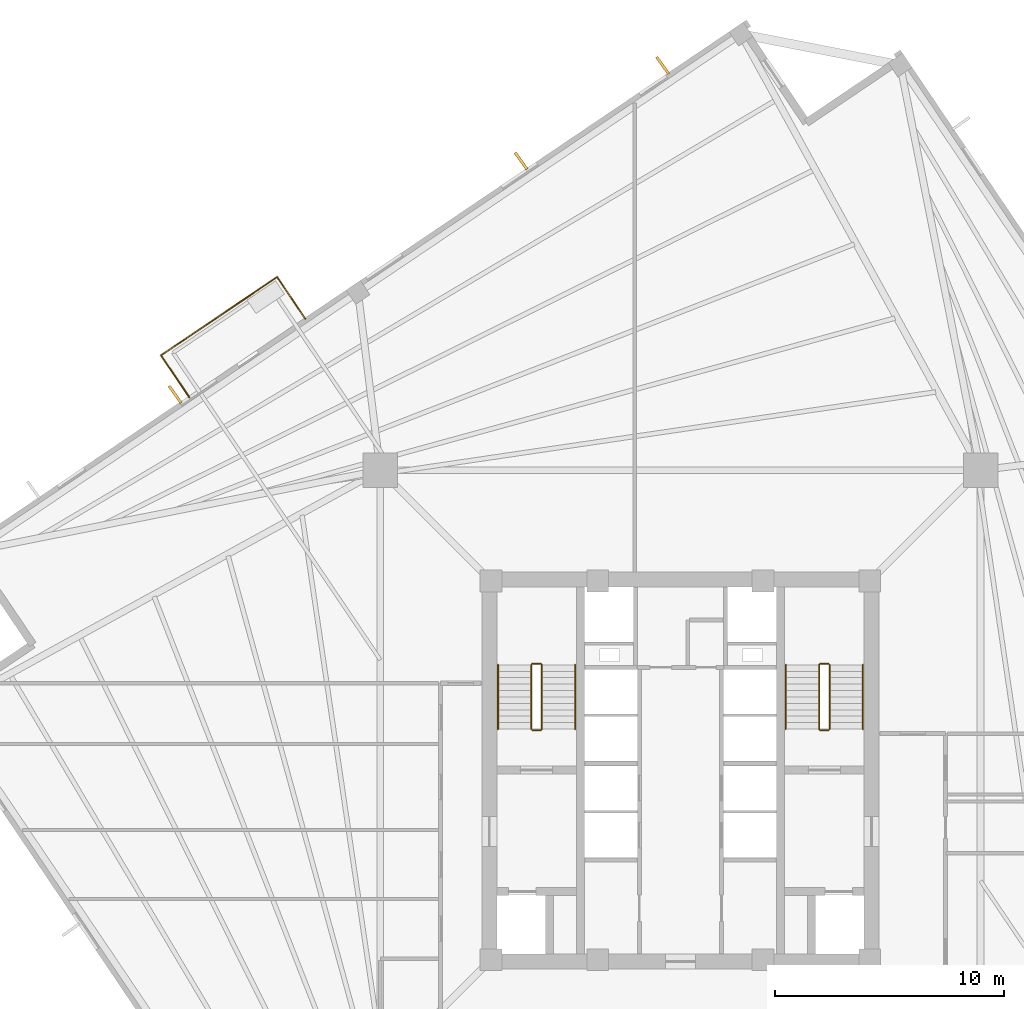
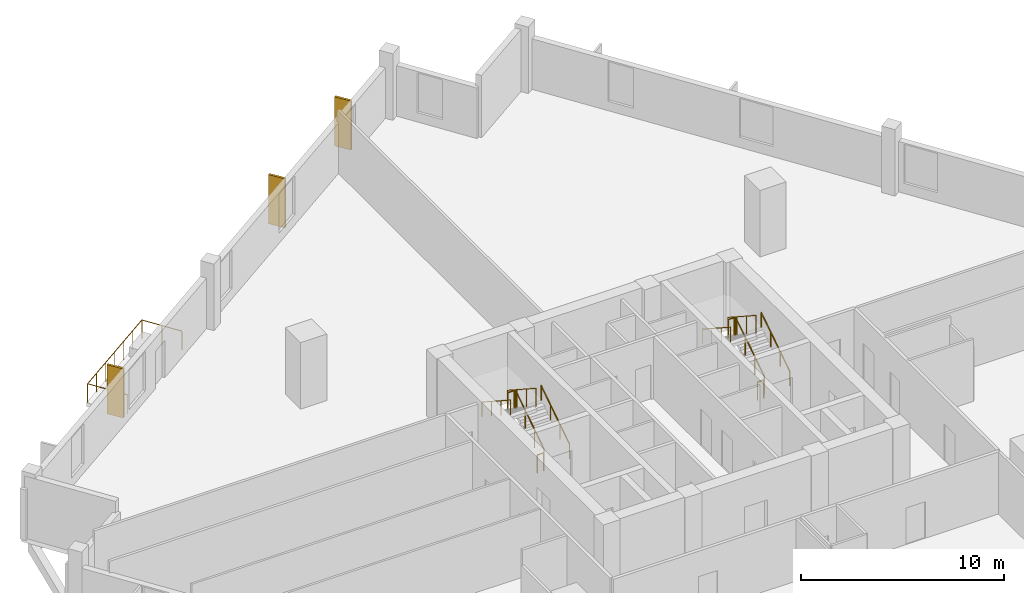
# One storey, part 7 of 8: 15 railings, 3 coverings.
"""IFC4 building model written with IfcOpenShell, lengths in metres."""

from ifc_helpers import new_model, si_unit, direction, frame, origin, origin_2d, place, context, subcontext, project, spatial, rectangle, circle, extrude, source, transform, mapped, material, layer, layer_set, type_object, element, save


model = new_model("IFC4")

# Units and contexts
model_context = context("Model", 3, precision=1e-05, world=origin(), true_north=direction((0.0, 1.0)))
body_context = subcontext(model_context, "Body", "Model", "MODEL_VIEW")
ifc_project = project(units=[si_unit("LENGTHUNIT", "METRE"), si_unit("AREAUNIT", "SQUARE_METRE"), si_unit("VOLUMEUNIT", "CUBIC_METRE"), si_unit("PLANEANGLEUNIT", "RADIAN"), si_unit("MASSUNIT", "GRAM", prefix="KILO"), si_unit("THERMODYNAMICTEMPERATUREUNIT", "KELVIN")], contexts=[model_context])

# Site, building, storey
site_placement = place(None, origin())
site = spatial("IfcSite", under=ifc_project, at=site_placement, CompositionType="ELEMENT")
building_placement = place(site_placement, origin())
building = spatial("IfcBuilding", under=site, at=building_placement, Name="Kosmvard Interchange Tower", CompositionType="ELEMENT")
storey_placement = place(building_placement, frame((0.0, 0.0, 184.39990234375)))
storey = spatial("IfcBuildingStorey", under=building, at=storey_placement, Name="L44", CompositionType="ELEMENT", Elevation=184.39990234375)

# Coverings
ifc_material_1 = material(Name="Architectural anodised aluminium", Category="aluminium")
ifc_layer = layer(ifc_material_1, 0.1201171875, Name="Architectural anodised aluminium")
ifc_layer_set = layer_set([ifc_layer], Name="Architectural anodised aluminium")
covering_type = type_object("IfcCoveringType", Name="Rotating Vertical Sun-Breaker Fin 900x120 Aluminium", PredefinedType="CLADDING", material=ifc_layer_set)
shared_shape_1 = source(origin(), body_context, "Body", "SweptSolid", [
    extrude(rectangle(XDim=0.89990234375, YDim=0.1201171875, at=origin_2d()), origin(), (0.0, 0.0, 1.0), 2.9599609375),
])
for number, where, z_axis, x_axis, name in (
    (1, (-0.774169921875, 30.718994140625, 0.0400390625), (0.0, 0.0, 1.0), (-0.581839108989, 0.813303910756, 0.0), "L44 Rotating Vertical Sun-Breaker Fin 09"),
    (2, (-6.943115234375, 26.557861328125, 0.0400390625), (0.0, 0.0, 1.0), (-0.581839108989, 0.813303910756, 0.0), "L44 Rotating Vertical Sun-Breaker Fin 10"),
    (3, (-22.02294921875, 16.38623046875, 0.0400390625), (0.0, 0.0, 1.0), (-0.581839108989, 0.813303910756, 0.0), "L44 Rotating Vertical Sun-Breaker Fin 11"),
):
    element("IfcCovering", number, at=place(storey_placement, frame(where, z_axis=z_axis, x_axis=x_axis)), inside=storey, type_object=covering_type, Name=name, PredefinedType="CLADDING", context=body_context, shape_type="MappedRepresentation", body=[
        mapped(shared_shape_1, transform((0.0, 0.0, 0.0), scale=1.0)),
    ])

# Railings
ifc_material_2 = material(Name="Steel S355", Category="steel")
railing_type_1 = type_object("IfcRailingType", Name="Observation & Balcony Glass-Infill Balustrade 1150", PredefinedType="BALUSTRADE", material=ifc_material_2)
shared_shape_2 = source(origin(), body_context, "Body", "SweptSolid", [
    extrude(circle(Radius=0.02392578125, at=origin_2d()), frame((0.0, 0.0, 1.1259765625), z_axis=(0.559173597279, -0.829050594418, 0.0), x_axis=(0.829050594418, 0.559173597279, 0.0)), (0.0, 0.0, 1.0), 2.2001953125),
    extrude(circle(Radius=0.02099609375, at=origin_2d()), origin(), (0.0, 0.0, 1.0), 1.101806640625),
    extrude(circle(Radius=0.02099609375, at=origin_2d()), frame((0.615234375, -0.912109375, 0.0)), (0.0, 0.0, 1.0), 1.101806640625),
    extrude(circle(Radius=0.02099609375, at=origin_2d()), frame((1.230224609375, -1.823974609375, 0.0)), (0.0, 0.0, 1.0), 1.101806640625),
])
railing_1_placement = place(storey_placement, frame((-22.6328125, 18.0859375, 0.0)))
element("IfcRailing", 4, at=railing_1_placement, inside=storey, type_object=railing_type_1, Name="L44 Outdoor Terrace Guard BAL-L44-NE-C", PredefinedType="BALUSTRADE", context=body_context, shape_type="MappedRepresentation", body=[
    mapped(shared_shape_2, transform((0.0, 0.0, 0.0), scale=1.0)),
])
shared_shape_3 = source(origin(), body_context, "Body", "SweptSolid", [
    extrude(circle(Radius=0.02392578125, at=origin_2d()), frame((0.0, 0.0, 1.1259765625), z_axis=(-0.559173597279, 0.829050594418, 0.0), x_axis=(-0.829050594418, -0.559173597279, 0.0)), (0.0, 0.0, 1.0), 2.2001953125),
    extrude(circle(Radius=0.02099609375, at=origin_2d()), origin(), (0.0, 0.0, 1.0), 1.101806640625),
    extrude(circle(Radius=0.02099609375, at=origin_2d()), frame((-0.615234375, 0.912109375, 0.0)), (0.0, 0.0, 1.0), 1.101806640625),
    extrude(circle(Radius=0.02099609375, at=origin_2d()), frame((-1.230224609375, 1.823974609375, 0.0)), (0.0, 0.0, 1.0), 1.101806640625),
])
railing_2_placement = place(storey_placement, frame((-16.345458984375, 19.673095703125, 0.0)))
element("IfcRailing", 5, at=railing_2_placement, inside=storey, type_object=railing_type_1, Name="L44 Outdoor Terrace Guard BAL-L44-NE-A", PredefinedType="BALUSTRADE", context=body_context, shape_type="MappedRepresentation", body=[
    mapped(shared_shape_3, transform((0.0, 0.0, 0.0), scale=1.0)),
])
shared_shape_4 = source(origin(), body_context, "Body", "SweptSolid", [
    extrude(circle(Radius=0.02392578125, at=origin_2d()), frame((0.0, 0.0, 1.1259765625), z_axis=(-0.829033294248, -0.55919924627, 0.0), x_axis=(0.55919924627, -0.829033294248, 0.0)), (0.0, 0.0, 1.0), 6.10009765625),
    extrude(circle(Radius=0.02099609375, at=origin_2d()), origin(), (0.0, 0.0, 1.0), 1.101806640625),
    extrude(circle(Radius=0.02099609375, at=origin_2d()), frame((-0.8427734375, -0.568603515625, 0.0)), (0.0, 0.0, 1.0), 1.101806640625),
    extrude(circle(Radius=0.02099609375, at=origin_2d()), frame((-1.685791015625, -1.136962890625, 0.0)), (0.0, 0.0, 1.0), 1.101806640625),
    extrude(circle(Radius=0.02099609375, at=origin_2d()), frame((-2.528564453125, -1.70556640625, 0.0)), (0.0, 0.0, 1.0), 1.101806640625),
    extrude(circle(Radius=0.02099609375, at=origin_2d()), frame((-3.371337890625, -2.274169921875, 0.0)), (0.0, 0.0, 1.0), 1.101806640625),
    extrude(circle(Radius=0.02099609375, at=origin_2d()), frame((-4.21435546875, -2.842529296875, 0.0)), (0.0, 0.0, 1.0), 1.101806640625),
    extrude(circle(Radius=0.02099609375, at=origin_2d()), frame((-5.05712890625, -3.4111328125, 0.0)), (0.0, 0.0, 1.0), 1.101806640625),
])
railing_3_placement = place(storey_placement, frame((-17.57568359375, 21.4970703125, 0.0)))
element("IfcRailing", 6, at=railing_3_placement, inside=storey, type_object=railing_type_1, Name="L44 Outdoor Terrace Guard BAL-L44-NE-B", PredefinedType="BALUSTRADE", context=body_context, shape_type="MappedRepresentation", body=[
    mapped(shared_shape_4, transform((0.0, 0.0, 0.0), scale=1.0)),
])
railing_type_2 = type_object("IfcRailingType", Name="Stair & Terrace Safety Guardrail 1100 Steel", PredefinedType="GUARDRAIL", material=ifc_material_2)
shared_shape_5 = source(origin(), body_context, "Body", "SweptSolid", [
    extrude(circle(Radius=0.02392578125, at=origin_2d()), frame((0.0, 0.0, 1.076171875), z_axis=(-1.0, 0.0, 0.0), x_axis=(0.0, -1.0, 0.0)), (0.0, 0.0, 1.0), 0.35986328125),
    extrude(circle(Radius=0.02099609375, at=origin_2d()), origin(), (0.0, 0.0, 1.0), 1.052001953125),
    extrude(circle(Radius=0.02099609375, at=origin_2d()), frame((-0.35986328125, 0.0, 0.0)), (0.0, 0.0, 1.0), 1.052001953125),
])
for number, where, name in (
    (7, (-6.090087890625, 4.64990234375, 2.0), "L44 ST-1 stair guard 2"),
    (8, (-6.090087890625, 1.75, 0.0), "L44 ST-1 stair guard 4"),
    (9, (6.449951171875, 4.64990234375, 2.0), "L44 ST-2 stair guard 2"),
    (10, (6.449951171875, 1.75, 0.0), "L44 ST-2 stair guard 4"),
):
    element("IfcRailing", number, at=place(storey_placement, frame(where)), inside=storey, type_object=railing_type_2, Name=name, PredefinedType="GUARDRAIL", context=body_context, shape_type="MappedRepresentation", body=[
        mapped(shared_shape_5, transform((0.0, 0.0, 0.0), scale=1.0)),
    ])
shared_shape_6 = source(origin(), body_context, "Body", "SweptSolid", [
    extrude(circle(Radius=0.02392578125, at=origin_2d()), frame((0.0, 0.0, 1.076171875), z_axis=(0.0, 0.838705829183, 0.544584733623), x_axis=(-1.0, 0.0, 0.0)), (0.0, 0.0, 1.0), 3.338623046875),
    extrude(circle(Radius=0.02099609375, at=origin_2d()), origin(), (0.0, 0.0, 1.0), 1.052001953125),
    extrude(circle(Radius=0.02099609375, at=origin_2d()), frame((0.0, 0.933349609375, 0.60595703125)), (0.0, 0.0, 1.0), 1.052001953125),
    extrude(circle(Radius=0.02099609375, at=origin_2d()), frame((0.0, 1.86669921875, 1.212158203125)), (0.0, 0.0, 1.0), 1.052001953125),
    extrude(circle(Radius=0.02099609375, at=origin_2d()), frame((0.0, 2.800048828125, 1.818115234375)), (0.0, 0.0, 1.0), 1.052001953125),
])
for number, where, name in (
    (11, (-6.0400390625, 1.800048828125, 0.181884765625), "L44 ST-1 stair guard 1"),
    (12, (6.5, 1.800048828125, 0.181884765625), "L44 ST-2 stair guard 1"),
):
    element("IfcRailing", number, at=place(storey_placement, frame(where)), inside=storey, type_object=railing_type_2, Name=name, PredefinedType="GUARDRAIL", context=body_context, shape_type="MappedRepresentation", body=[
        mapped(shared_shape_6, transform((0.0, 0.0, 0.0), scale=1.0)),
    ])
shared_shape_7 = source(origin(), body_context, "Body", "SweptSolid", [
    extrude(circle(Radius=0.02392578125, at=origin_2d()), frame((0.0, 0.0, 1.076171875), z_axis=(0.0, -0.838705829183, 0.544584733623), x_axis=(1.0, 0.0, 0.0)), (0.0, 0.0, 1.0), 3.338623046875),
    extrude(circle(Radius=0.02099609375, at=origin_2d()), origin(), (0.0, 0.0, 1.0), 1.052001953125),
    extrude(circle(Radius=0.02099609375, at=origin_2d()), frame((0.0, -0.933349609375, 0.60595703125)), (0.0, 0.0, 1.0), 1.052001953125),
    extrude(circle(Radius=0.02099609375, at=origin_2d()), frame((0.0, -1.86669921875, 1.212158203125)), (0.0, 0.0, 1.0), 1.052001953125),
    extrude(circle(Radius=0.02099609375, at=origin_2d()), frame((0.0, -2.800048828125, 1.818115234375)), (0.0, 0.0, 1.0), 1.052001953125),
])
for number, where, name in (
    (13, (-6.5, 4.60009765625, 2.181884765625), "L44 ST-1 stair guard 3"),
    (14, (6.0400390625, 4.60009765625, 2.181884765625), "L44 ST-2 stair guard 3"),
):
    element("IfcRailing", number, at=place(storey_placement, frame(where)), inside=storey, type_object=railing_type_2, Name=name, PredefinedType="GUARDRAIL", context=body_context, shape_type="MappedRepresentation", body=[
        mapped(shared_shape_7, transform((0.0, 0.0, 0.0), scale=1.0)),
    ])
railing_type_3 = type_object("IfcRailingType", Name="Wall-Mounted Stair Handrail 900 Steel", PredefinedType="HANDRAIL", material=ifc_material_2)
shared_shape_8 = source(origin(), body_context, "Body", "SweptSolid", [
    extrude(circle(Radius=0.02392578125, at=origin_2d()), frame((0.0, 0.0, 0.8759765625), z_axis=(0.0, 0.838705829183, 0.544584733623), x_axis=(-1.0, 0.0, 0.0)), (0.0, 0.0, 1.0), 3.338623046875),
    extrude(circle(Radius=0.02099609375, at=origin_2d()), origin(), (0.0, 0.0, 1.0), 0.851806640625),
    extrude(circle(Radius=0.02099609375, at=origin_2d()), frame((0.0, 0.933349609375, 0.60595703125)), (0.0, 0.0, 1.0), 0.851806640625),
    extrude(circle(Radius=0.02099609375, at=origin_2d()), frame((0.0, 1.86669921875, 1.212158203125)), (0.0, 0.0, 1.0), 0.851806640625),
    extrude(circle(Radius=0.02099609375, at=origin_2d()), frame((0.0, 2.800048828125, 1.818115234375)), (0.0, 0.0, 1.0), 0.851806640625),
])
for number, where, name in (
    (15, (-4.590087890625, 1.800048828125, 0.181884765625), "L44 ST-1 stair handrail 1"),
    (16, (7.949951171875, 1.800048828125, 0.181884765625), "L44 ST-2 stair handrail 1"),
):
    element("IfcRailing", number, at=place(storey_placement, frame(where)), inside=storey, type_object=railing_type_3, Name=name, PredefinedType="HANDRAIL", context=body_context, shape_type="MappedRepresentation", body=[
        mapped(shared_shape_8, transform((0.0, 0.0, 0.0), scale=1.0)),
    ])
shared_shape_9 = source(origin(), body_context, "Body", "SweptSolid", [
    extrude(circle(Radius=0.02392578125, at=origin_2d()), frame((0.0, 0.0, 0.8759765625), z_axis=(0.0, -0.838705829183, 0.544584733623), x_axis=(1.0, 0.0, 0.0)), (0.0, 0.0, 1.0), 3.338623046875),
    extrude(circle(Radius=0.02099609375, at=origin_2d()), origin(), (0.0, 0.0, 1.0), 0.851806640625),
    extrude(circle(Radius=0.02099609375, at=origin_2d()), frame((0.0, -0.933349609375, 0.60595703125)), (0.0, 0.0, 1.0), 0.851806640625),
    extrude(circle(Radius=0.02099609375, at=origin_2d()), frame((0.0, -1.86669921875, 1.212158203125)), (0.0, 0.0, 1.0), 0.851806640625),
    extrude(circle(Radius=0.02099609375, at=origin_2d()), frame((0.0, -2.800048828125, 1.818115234375)), (0.0, 0.0, 1.0), 0.851806640625),
])
for number, where, name in (
    (17, (-7.949951171875, 4.60009765625, 2.181884765625), "L44 ST-1 stair handrail 2"),
    (18, (4.590087890625, 4.60009765625, 2.181884765625), "L44 ST-2 stair handrail 2"),
):
    element("IfcRailing", number, at=place(storey_placement, frame(where)), inside=storey, type_object=railing_type_3, Name=name, PredefinedType="HANDRAIL", context=body_context, shape_type="MappedRepresentation", body=[
        mapped(shared_shape_9, transform((0.0, 0.0, 0.0), scale=1.0)),
    ])

save(model, "model.ifc")
